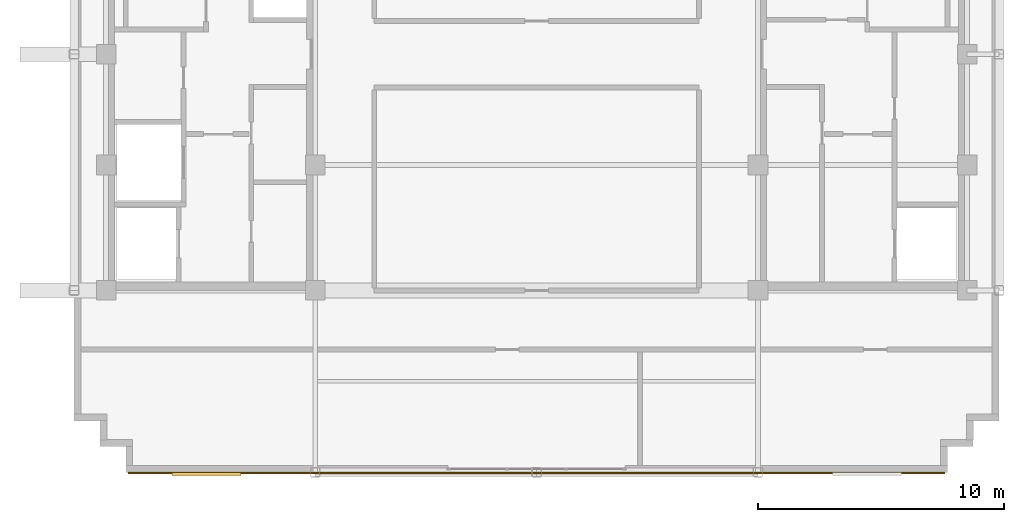
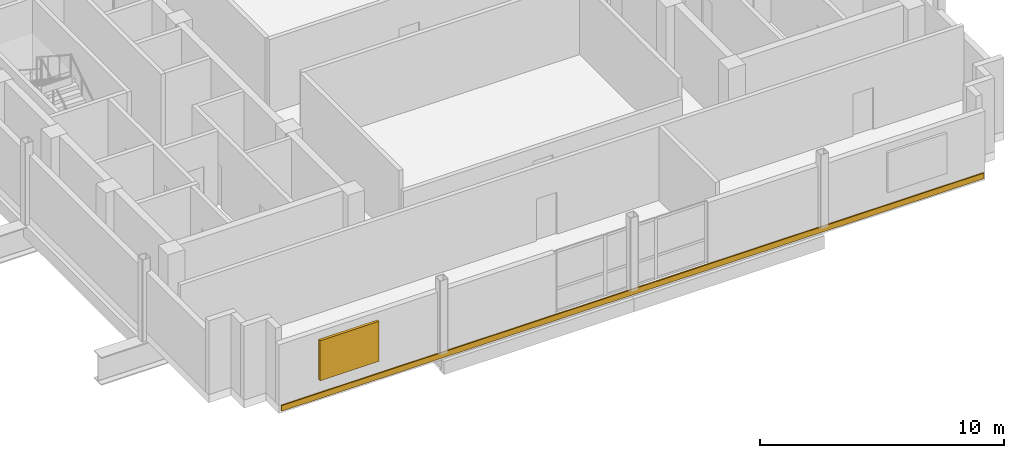
# One storey, part 6 of 9: 1 covering, 1 shading device.
"""IFC4 building model written with IfcOpenShell, lengths in metres."""

from ifc_helpers import new_model, si_unit, direction, frame, origin, origin_2d, place, context, subcontext, project, spatial, rectangle, extrude, source, transform, mapped, material, layer, layer_set, type_object, type_shapes, element, save


model = new_model("IFC4")

# Units and contexts
model_context = context("Model", 3, precision=1e-05, world=origin(), true_north=direction((0.0, 1.0)))
body_context = subcontext(model_context, "Body", "Model", "MODEL_VIEW")
ifc_project = project(units=[si_unit("LENGTHUNIT", "METRE"), si_unit("AREAUNIT", "SQUARE_METRE"), si_unit("VOLUMEUNIT", "CUBIC_METRE"), si_unit("PLANEANGLEUNIT", "RADIAN"), si_unit("MASSUNIT", "GRAM", prefix="KILO")], contexts=[model_context])

# Site, building, storey
site_placement = place(None, origin())
site = spatial("IfcSite", under=ifc_project, at=site_placement, CompositionType="ELEMENT")
building_placement = place(site_placement, origin())
building = spatial("IfcBuilding", under=site, at=building_placement, Name="Nuvemarco Arch Tower", CompositionType="ELEMENT")
storey_placement = place(building_placement, frame((0.0, 0.0, 287.14990234375)))
storey = spatial("IfcBuildingStorey", under=building, at=storey_placement, Name="L76", CompositionType="ELEMENT", Elevation=287.14990234375)

# Shading device
ifc_material_1 = material(Name="Anodised aluminium 6063-T6", Category="aluminium")
shading_device_type = type_object("IfcShadingDeviceType", Name="SHD-LOUVRE-PLANT", PredefinedType="JALOUSIE", material=ifc_material_1)
shared_shape_1 = source(origin(), body_context, "Body", "SweptSolid", [
    extrude(rectangle(XDim=2.800048828125, YDim=0.1201171875, at=origin_2d()), origin(), (0.0, 0.0, 1.0), 2.0),
])
type_shapes(shading_device_type, [shared_shape_1])
shading_device_placement = place(storey_placement, frame((-13.425048828125, -17.054931640625, 0.650146484375), z_axis=(0.0, 0.0, 1.0), x_axis=(1.0, 0.0, 0.0)))
element("IfcShadingDevice", 1, at=shading_device_placement, inside=storey, type_object=shading_device_type, Name="L76 acoustic plant louvre panel 1", PredefinedType="JALOUSIE", context=body_context, shape_type="MappedRepresentation", body=[
    mapped(shared_shape_1, transform((0.0, 0.0, 0.0), scale=1.0)),
])

# Covering
ifc_material_2 = material(Name="Precast concrete C45/55", Category="concrete")
ifc_layer = layer(ifc_material_2, 0.06005859375, Name="COV-SPANDREL-CLAD")
ifc_layer_set = layer_set([ifc_layer], Name="Precast concrete C45/55")
covering_type = type_object("IfcCoveringType", Name="COV-SPANDREL-CLAD", PredefinedType="CLADDING", material=ifc_layer_set)
shared_shape_2 = source(origin(), body_context, "Body", "SweptSolid", [
    extrude(rectangle(XDim=33.199951171875, YDim=0.06005859375, at=origin_2d()), origin(), (0.0, 0.0, 1.0), 0.280029296875),
])
type_shapes(covering_type, [shared_shape_2])
covering_placement = place(storey_placement, frame((0.0, -17.029052734375, -0.27978515625), z_axis=(0.0, 0.0, 1.0), x_axis=(1.0, 0.0, 0.0)))
element("IfcCovering", 2, at=covering_placement, inside=storey, type_object=covering_type, Name="L76 precast spandrel edge cladding south", PredefinedType="CLADDING", context=body_context, shape_type="MappedRepresentation", body=[
    mapped(shared_shape_2, transform((0.0, 0.0, 0.0), scale=1.0)),
])

save(model, "model.ifc")
